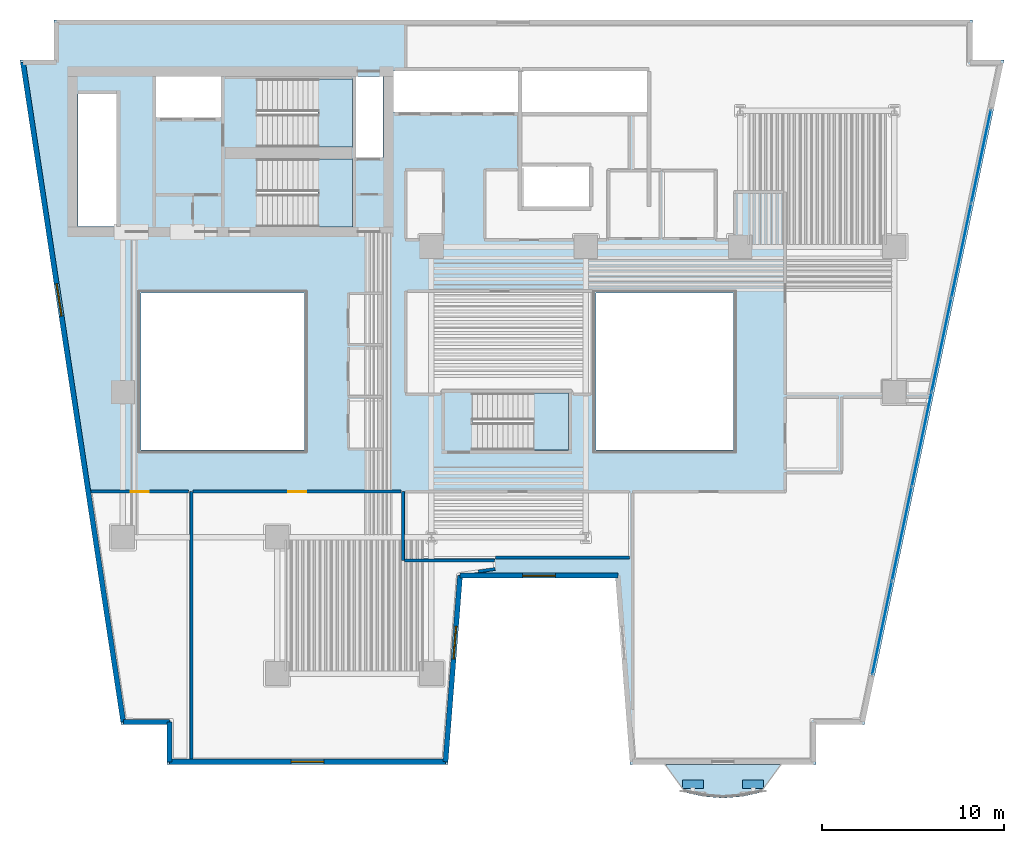
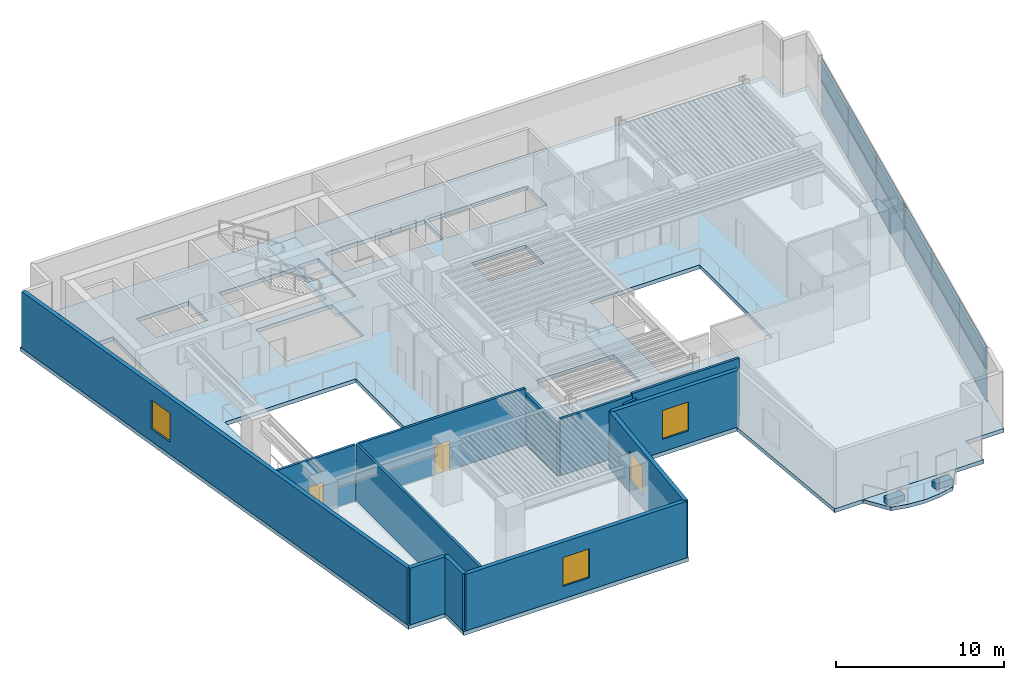
# One storey, part 3 of 12: 14 plates, 13 walls, 5 slabs, 4 windows, 2 doors, 6 openings, 4 elements without a shape of their own.
"""IFC4 building model written with IfcOpenShell, lengths in metres."""

from ifc_helpers import new_model, si_unit, direction, frame, frame_2d, origin, origin_2d, place, context, subcontext, project, spatial, polyline, rectangle, outline, extrude, material, layer, layer_set, type_object, element, fill, aggregate, save


model = new_model("IFC4")

# Units and contexts
model_context = context("Model", 3, precision=1e-05, world=origin(), true_north=direction((0.0, 1.0)))
body_context = subcontext(model_context, "Body", "Model", "MODEL_VIEW")
ifc_project = project(units=[si_unit("LENGTHUNIT", "METRE"), si_unit("AREAUNIT", "SQUARE_METRE"), si_unit("VOLUMEUNIT", "CUBIC_METRE"), si_unit("PLANEANGLEUNIT", "RADIAN"), si_unit("MASSUNIT", "GRAM", prefix="KILO")], contexts=[model_context])

# Site, building, storey
site_placement = place(None, origin())
site = spatial("IfcSite", under=ifc_project, at=site_placement, CompositionType="ELEMENT")
building_placement = place(site_placement, origin())
building = spatial("IfcBuilding", under=site, at=building_placement, Name="Caeloran Harvest Quay", CompositionType="ELEMENT")
storey_placement = place(building_placement, frame((0.0, 0.0, 97.39990234375)))
storey = spatial("IfcBuildingStorey", under=building, at=storey_placement, Name="L22", CompositionType="ELEMENT", Elevation=97.39990234375)

# Slab
ifc_material_1 = material(Name="Concrete C50/60", Category="concrete")
ifc_layer_1 = layer(ifc_material_1, 0.260009765625, Name="Concrete C50/60")
ifc_layer_set_1 = layer_set([ifc_layer_1], Name="Concrete C50/60")
slab_type_1 = type_object("IfcSlabType", Name="BALCONY-BL-260", PredefinedType="FLOOR", material=ifc_layer_set_1)
slab_1_placement = place(storey_placement, frame((0.0, 0.0, -0.260009765625)))
element("IfcSlab", 1, at=slab_1_placement, inside=storey, type_object=slab_type_1, Name="L22 Scalloped Cantilevered Planted Balcony Slab", PredefinedType="FLOOR", context=body_context, shape_type="SweptSolid", body=[
    extrude(outline(polyline([(43.686767578125, 0.965087890625), (42.622802734375, 0.72705078125), (41.55859375, 0.639892578125), (40.494384765625, 0.72705078125), (39.43017578125, 0.965087890625), (38.379638671875, 2.5), (44.7373046875, 2.5), (43.686767578125, 0.965087890625)])), origin(), (0.0, 0.0, 1.0), 0.260009765625),
])

# Curtain wall, plates
ifc_material_2 = material(Name="Aluminium 6063-T6 and Low-E Glazing", Category="aluminium")
ifc_layer_2 = layer(ifc_material_2, 0.199951171875, Name="Aluminium 6063-T6 and Low-E Glazing")
ifc_layer_set_2 = layer_set([ifc_layer_2], Name="Aluminium 6063-T6 and Low-E Glazing")
curtain_wall_type = type_object("IfcCurtainWallType", Name="CW-SYS-CW-2", PredefinedType="USERDEFINED", material=ifc_layer_set_2)
curtain_wall_placement = place(storey_placement, origin())
curtain_wall = element("IfcCurtainWall", 2, at=curtain_wall_placement, inside=storey, type_object=curtain_wall_type, Name="L22 Unitised Curtain Wall CW-2 Run 9", ObjectType="CURTAIN_WALL", PredefinedType="USERDEFINED")
ifc_material_3 = material(Name="Low-E Double Glazed Vision Glass Unit", Category="glass")
ifc_layer_3 = layer(ifc_material_3, 0.035888671875, Name="Low-E Double Glazed Vision Glass Unit")
ifc_layer_set_3 = layer_set([ifc_layer_3], Name="Low-E Double Glazed Vision Glass Unit")
plate_type_1 = type_object("IfcPlateType", Name="CW-VISION-PANEL", PredefinedType="CURTAIN_PANEL", material=ifc_layer_set_3)
plate_1_placement = place(storey_placement, frame((55.780029296875, 35.993408203125, 0.080078125), z_axis=(0.0, 0.0, 1.0), x_axis=(-0.205582960081, -0.978639691881, 0.0)))
plate_1 = element("IfcPlate", 3, at=plate_1_placement, type_object=plate_type_1, Name="CW-2 panel 1.1", PredefinedType="CURTAIN_PANEL", context=body_context, shape_type="SweptSolid", body=[
    extrude(rectangle(XDim=5.19873046875, YDim=0.035888671875, at=origin_2d()), origin(), (0.0, 0.0, 1.0), 2.280029296875),
])
plate_2_placement = place(storey_placement, frame((55.780029296875, 35.993408203125, 2.43994140625), z_axis=(0.0, 0.0, 1.0), x_axis=(-0.205582960081, -0.978639691881, 0.0)))
plate_2 = element("IfcPlate", 4, at=plate_2_placement, type_object=plate_type_1, Name="CW-2 panel 1.2", PredefinedType="CURTAIN_PANEL", context=body_context, shape_type="SweptSolid", body=[
    extrude(rectangle(XDim=5.19873046875, YDim=0.035888671875, at=origin_2d()), origin(), (0.0, 0.0, 1.0), 1.594970703125),
])
plate_3_placement = place(storey_placement, frame((54.690673828125, 30.807861328125, 0.080078125), z_axis=(0.0, 0.0, 1.0), x_axis=(-0.205582960081, -0.978639691881, 0.0)))
plate_3 = element("IfcPlate", 5, at=plate_3_placement, type_object=plate_type_1, Name="CW-2 panel 2.1", PredefinedType="CURTAIN_PANEL", context=body_context, shape_type="SweptSolid", body=[
    extrude(rectangle(XDim=5.23876953125, YDim=0.035888671875, at=origin_2d()), origin(), (0.0, 0.0, 1.0), 2.280029296875),
])
plate_4_placement = place(storey_placement, frame((54.690673828125, 30.807861328125, 2.43994140625), z_axis=(0.0, 0.0, 1.0), x_axis=(-0.205582960081, -0.978639691881, 0.0)))
plate_4 = element("IfcPlate", 6, at=plate_4_placement, type_object=plate_type_1, Name="CW-2 panel 2.2", PredefinedType="CURTAIN_PANEL", context=body_context, shape_type="SweptSolid", body=[
    extrude(rectangle(XDim=5.23876953125, YDim=0.035888671875, at=origin_2d()), origin(), (0.0, 0.0, 1.0), 1.594970703125),
])
plate_5_placement = place(storey_placement, frame((53.59716796875, 25.6025390625, 0.080078125), z_axis=(0.0, 0.0, 1.0), x_axis=(-0.205582960081, -0.978639691881, 0.0)))
plate_5 = element("IfcPlate", 7, at=plate_5_placement, type_object=plate_type_1, Name="CW-2 panel 3.1", PredefinedType="CURTAIN_PANEL", context=body_context, shape_type="SweptSolid", body=[
    extrude(rectangle(XDim=5.23876953125, YDim=0.035888671875, at=origin_2d()), origin(), (0.0, 0.0, 1.0), 2.280029296875),
])
plate_6_placement = place(storey_placement, frame((53.59716796875, 25.6025390625, 2.43994140625), z_axis=(0.0, 0.0, 1.0), x_axis=(-0.205582960081, -0.978639691881, 0.0)))
plate_6 = element("IfcPlate", 8, at=plate_6_placement, type_object=plate_type_1, Name="CW-2 panel 3.2", PredefinedType="CURTAIN_PANEL", context=body_context, shape_type="SweptSolid", body=[
    extrude(rectangle(XDim=5.23876953125, YDim=0.035888671875, at=origin_2d()), origin(), (0.0, 0.0, 1.0), 1.594970703125),
])
plate_7_placement = place(storey_placement, frame((52.503662109375, 20.3974609375, 0.080078125), z_axis=(0.0, 0.0, 1.0), x_axis=(-0.205582960081, -0.978639691881, 0.0)))
plate_7 = element("IfcPlate", 9, at=plate_7_placement, type_object=plate_type_1, Name="CW-2 panel 4.1", PredefinedType="CURTAIN_PANEL", context=body_context, shape_type="SweptSolid", body=[
    extrude(rectangle(XDim=5.23876953125, YDim=0.035888671875, at=origin_2d()), origin(), (0.0, 0.0, 1.0), 2.280029296875),
])
plate_8_placement = place(storey_placement, frame((52.503662109375, 20.3974609375, 2.43994140625), z_axis=(0.0, 0.0, 1.0), x_axis=(-0.205582960081, -0.978639691881, 0.0)))
plate_8 = element("IfcPlate", 10, at=plate_8_placement, type_object=plate_type_1, Name="CW-2 panel 4.2", PredefinedType="CURTAIN_PANEL", context=body_context, shape_type="SweptSolid", body=[
    extrude(rectangle(XDim=5.23876953125, YDim=0.035888671875, at=origin_2d()), origin(), (0.0, 0.0, 1.0), 1.594970703125),
])
plate_9_placement = place(storey_placement, frame((51.41015625, 15.192138671875, 0.080078125), z_axis=(0.0, 0.0, 1.0), x_axis=(-0.205582960081, -0.978639691881, 0.0)))
plate_9 = element("IfcPlate", 11, at=plate_9_placement, type_object=plate_type_1, Name="CW-2 panel 5.1", PredefinedType="CURTAIN_PANEL", context=body_context, shape_type="SweptSolid", body=[
    extrude(rectangle(XDim=5.23876953125, YDim=0.035888671875, at=origin_2d()), origin(), (0.0, 0.0, 1.0), 2.280029296875),
])
plate_10_placement = place(storey_placement, frame((51.41015625, 15.192138671875, 2.43994140625), z_axis=(0.0, 0.0, 1.0), x_axis=(-0.205582960081, -0.978639691881, 0.0)))
plate_10 = element("IfcPlate", 12, at=plate_10_placement, type_object=plate_type_1, Name="CW-2 panel 5.2", PredefinedType="CURTAIN_PANEL", context=body_context, shape_type="SweptSolid", body=[
    extrude(rectangle(XDim=5.23876953125, YDim=0.035888671875, at=origin_2d()), origin(), (0.0, 0.0, 1.0), 1.594970703125),
])
plate_11_placement = place(storey_placement, frame((50.321044921875, 10.006591796875, 0.080078125), z_axis=(0.0, 0.0, 1.0), x_axis=(-0.205582960081, -0.978639691881, 0.0)))
plate_11 = element("IfcPlate", 13, at=plate_11_placement, type_object=plate_type_1, Name="CW-2 panel 6.1", PredefinedType="CURTAIN_PANEL", context=body_context, shape_type="SweptSolid", body=[
    extrude(rectangle(XDim=5.19873046875, YDim=0.035888671875, at=origin_2d()), origin(), (0.0, 0.0, 1.0), 2.280029296875),
])
plate_12_placement = place(storey_placement, frame((50.321044921875, 10.006591796875, 2.43994140625), z_axis=(0.0, 0.0, 1.0), x_axis=(-0.205582960081, -0.978639691881, 0.0)))
plate_12 = element("IfcPlate", 14, at=plate_12_placement, type_object=plate_type_1, Name="CW-2 panel 6.2", PredefinedType="CURTAIN_PANEL", context=body_context, shape_type="SweptSolid", body=[
    extrude(rectangle(XDim=5.19873046875, YDim=0.035888671875, at=origin_2d()), origin(), (0.0, 0.0, 1.0), 1.594970703125),
])
aggregate(curtain_wall, [plate_1, plate_2, plate_3, plate_4, plate_5, plate_6, plate_7, plate_8, plate_9, plate_10, plate_11, plate_12])

# Plates
ifc_material_4 = material(Name="Precast concrete C50/60", Category="concrete")
ifc_layer_4 = layer(ifc_material_4, 0.449951171875, Name="Precast concrete C50/60")
ifc_layer_set_4 = layer_set([ifc_layer_4], Name="Precast concrete C50/60")
plate_type_2 = type_object("IfcPlateType", Name="PLANTER-TROUGH-450", PredefinedType="USERDEFINED", material=ifc_layer_set_4)
for number, where, z_axis, x_axis, name in (
    (15, (43.218505859375, 1.39990234375, 0.0), (0.0, 0.0, 1.0), (1.0, 0.0, 0.0), "L22 Balcony Vertical-Greenery Precast PLANTER Trough 1"),
    (16, (39.8984375, 1.39990234375, 0.0), (0.0, 0.0, 1.0), (1.0, 0.0, 0.0), "L22 Balcony Vertical-Greenery Precast PLANTER Trough 2"),
):
    element("IfcPlate", number, at=place(storey_placement, frame(where, z_axis=z_axis, x_axis=x_axis)), inside=storey, type_object=plate_type_2, Name=name, ObjectType="PLANTER", PredefinedType="USERDEFINED", context=body_context, shape_type="SweptSolid", body=[
        extrude(rectangle(XDim=1.14990234375, YDim=0.47998046875, at=origin_2d()), origin(), (0.0, 0.0, 1.0), 0.449951171875),
    ])

# Slab
ifc_layer_5 = layer(ifc_material_1, 0.284912109375, Name="Concrete C50/60")
ifc_layer_set_5 = layer_set([ifc_layer_5], Name="Concrete C50/60")
slab_type_2 = type_object("IfcSlabType", Name="SLAB-FS-285", PredefinedType="FLOOR", material=ifc_layer_set_5)
slab_2_placement = place(storey_placement, frame((0.0, 0.0, -0.284912109375)))
element("IfcSlab", 17, at=slab_2_placement, inside=storey, type_object=slab_type_2, Name="L22 Structural Floor Slab", PredefinedType="FLOOR", context=body_context, shape_type="SweptSolid", body=[
    extrude(outline(polyline([(10.93701171875, 2.5), (26.403076171875, 2.5), (27.202880859375, 12.75), (35.640380859375, 12.75), (36.4404296875, 2.5), (46.68701171875, 2.5), (46.68701171875, 4.699951171875), (49.34912109375, 4.699951171875), (57.037841796875, 41.300048828125), (55.300048828125, 41.300048828125), (55.300048828125, 43.5), (4.699951171875, 43.5), (4.699951171875, 41.300048828125), (2.834716796875, 41.300048828125), (8.40234375, 4.699951171875), (10.93701171875, 4.699951171875), (10.93701171875, 2.5)]), holes=[polyline([(18.5, 19.800048828125), (9.5, 19.800048828125), (9.5, 28.449951171875), (18.5, 28.449951171875), (18.5, 19.800048828125)]), polyline([(15.89990234375, 32.10009765625), (15.89990234375, 35.85009765625), (21.14990234375, 35.85009765625), (21.14990234375, 32.10009765625), (15.89990234375, 32.10009765625)]), polyline([(8.159912109375, 32.1201171875), (6.02001953125, 32.1201171875), (6.02001953125, 39.419921875), (8.159912109375, 39.419921875), (8.159912109375, 32.1201171875)]), polyline([(21.35009765625, 35.919921875), (21.35009765625, 40.3798828125), (22.830078125, 40.3798828125), (22.830078125, 35.919921875), (21.35009765625, 35.919921875)]), polyline([(15.89990234375, 40.25), (21.14990234375, 40.25), (21.14990234375, 36.5), (15.89990234375, 36.5), (15.89990234375, 40.25)]), polyline([(13.89990234375, 38.1201171875), (10.320068359375, 38.1201171875), (10.320068359375, 40.3798828125), (13.89990234375, 40.3798828125), (13.89990234375, 38.1201171875)]), polyline([(27.75, 22.949951171875), (33.050048828125, 22.949951171875), (33.050048828125, 19.800048828125), (27.75, 19.800048828125), (27.75, 22.949951171875)]), polyline([(34.550048828125, 19.800048828125), (34.550048828125, 28.449951171875), (42.14990234375, 28.449951171875), (42.14990234375, 19.800048828125), (34.550048828125, 19.800048828125)]), polyline([(34.199951171875, 33.219970703125), (30.47998046875, 33.219970703125), (30.47998046875, 35.429931640625), (34.199951171875, 35.429931640625), (34.199951171875, 33.219970703125)]), polyline([(23.419921875, 38.419921875), (23.419921875, 40.679931640625), (30.280029296875, 40.679931640625), (30.280029296875, 38.419921875), (23.419921875, 38.419921875)]), polyline([(30.47998046875, 38.419921875), (30.47998046875, 40.679931640625), (37.3798828125, 40.679931640625), (37.3798828125, 38.419921875), (30.47998046875, 38.419921875)])]), origin(), (0.0, 0.0, 1.0), 0.284912109375),
])

# Stair, slab
stair_type_1 = type_object("IfcStairType", Name="STAIR-STC-180", PredefinedType="HALF_TURN_STAIR", material=ifc_material_1)
stair_1_placement = place(storey_placement, origin())
stair_1 = element("IfcStair", 18, at=stair_1_placement, inside=storey, type_object=stair_type_1, Name="L22 Core Pressurized Exit Stair ST-C1", PredefinedType="HALF_TURN_STAIR")
ifc_layer_6 = layer(ifc_material_1, 0.219970703125, Name="Concrete C50/60")
ifc_layer_set_6 = layer_set([ifc_layer_6], Name="Concrete C50/60")
slab_type_3 = type_object("IfcSlabType", Name="STAIR-LANDING-220", PredefinedType="LANDING", material=ifc_layer_set_6)
slab_3_placement = place(storey_placement, frame((0.0, 0.0, 2.0)))
slab_3 = element("IfcSlab", 19, at=slab_3_placement, type_object=slab_type_3, Name="ST-C1 landing 1", PredefinedType="LANDING", context=body_context, shape_type="SweptSolid", body=[
    extrude(outline(polyline([(19.260009765625, 36.5), (21.14990234375, 36.5), (21.14990234375, 40.25), (19.260009765625, 40.25), (19.260009765625, 36.5)])), origin(), (0.0, 0.0, 1.0), 0.2001953125),
])
aggregate(stair_1, [slab_3])

stair_2_placement = place(storey_placement, origin())
stair_2 = element("IfcStair", 20, at=stair_2_placement, inside=storey, type_object=stair_type_1, Name="L22 Core Pressurized Exit Stair ST-C2", PredefinedType="HALF_TURN_STAIR")
slab_4_placement = place(storey_placement, frame((0.0, 0.0, 2.0)))
slab_4 = element("IfcSlab", 21, at=slab_4_placement, type_object=slab_type_3, Name="ST-C2 landing 1", PredefinedType="LANDING", context=body_context, shape_type="SweptSolid", body=[
    extrude(outline(polyline([(19.260009765625, 32.10009765625), (21.14990234375, 32.10009765625), (21.14990234375, 35.85009765625), (19.260009765625, 35.85009765625), (19.260009765625, 32.10009765625)])), origin(), (0.0, 0.0, 1.0), 0.2001953125),
])
aggregate(stair_2, [slab_4])

stair_type_2 = type_object("IfcStairType", Name="STAIR-STW-150", PredefinedType="HALF_TURN_STAIR", material=ifc_material_1)
stair_3_placement = place(storey_placement, origin())
stair_3 = element("IfcStair", 22, at=stair_3_placement, inside=storey, type_object=stair_type_2, Name="L22 East Wing Protected Exit Stair ST-W1", PredefinedType="HALF_TURN_STAIR")
slab_5_placement = place(storey_placement, frame((0.0, 0.0, 2.0)))
slab_5 = element("IfcSlab", 23, at=slab_5_placement, type_object=slab_type_3, Name="ST-W1 landing 1", PredefinedType="LANDING", context=body_context, shape_type="SweptSolid", body=[
    extrude(outline(polyline([(31.110107421875, 19.800048828125), (33.050048828125, 19.800048828125), (33.050048828125, 22.949951171875), (31.110107421875, 22.949951171875), (31.110107421875, 19.800048828125)])), origin(), (0.0, 0.0, 1.0), 0.2001953125),
])
aggregate(stair_3, [slab_5])

# Walls
ifc_layer_7 = layer(ifc_material_4, 0.280029296875, Name="Precast concrete C50/60")
ifc_layer_set_7 = layer_set([ifc_layer_7], Name="Precast concrete C50/60")
wall_type_1 = type_object("IfcWallType", Name="ENV-WALL-EW-280", PredefinedType="STANDARD", material=ifc_layer_set_7)
wall_1_placement = place(storey_placement, frame((11.076904296875, 2.639892578125, 0.0), z_axis=(0.0, 0.0, 1.0), x_axis=(0.0, 1.0, 0.0)))
element("IfcWall", 24, at=wall_1_placement, inside=storey, type_object=wall_type_1, Name="L22 Exterior Precast Concrete Facade Wall 1", PredefinedType="STANDARD", context=body_context, shape_type="SweptSolid", body=[
    extrude(rectangle(XDim=2.2001953125, YDim=0.280029296875, at=frame_2d((1.10009765625, 0.0))), origin(), (0.0, 0.0, 1.0), 4.114990234375),
])
wall_2_placement = place(storey_placement, frame((11.076904296875, 4.840087890625, 0.0), z_axis=(0.0, 0.0, 1.0), x_axis=(-1.0, 0.0, 0.0)))
element("IfcWall", 25, at=wall_2_placement, inside=storey, type_object=wall_type_1, Name="L22 Exterior Precast Concrete Facade Wall 2", PredefinedType="STANDARD", context=body_context, shape_type="SweptSolid", body=[
    extrude(rectangle(XDim=2.55419921875, YDim=0.280029296875, at=frame_2d((1.277099609375, 0.0))), origin(), (0.0, 0.0, 1.0), 4.114990234375),
])

# Wall, opening, window
wall_3_placement = place(storey_placement, frame((8.522705078125, 4.840087890625, 0.0), z_axis=(0.0, 0.0, 1.0), x_axis=(-0.150394554312, 0.988626055712, 0.0)))
wall_3 = element("IfcWall", 26, at=wall_3_placement, inside=storey, type_object=wall_type_1, Name="L22 Exterior Precast Concrete Facade Wall 3", PredefinedType="STANDARD", context=body_context, shape_type="SweptSolid", body=[
    extrude(rectangle(XDim=36.73779296875, YDim=0.280029296875, at=frame_2d((18.368896484375, 0.0))), origin(), (0.0, 0.0, 1.0), 4.114990234375),
])
opening_1_placement = place(wall_3_placement, frame((22.612060546875, 0.0, 0.89990234375)))
opening_1 = element("IfcOpeningElement", 27, at=opening_1_placement, cuts=wall_3, Name="Opening W-01", PredefinedType="OPENING", context=body_context, shape_type="SweptSolid", body=[
    extrude(rectangle(XDim=1.800048828125, YDim=2.10009765625, at=frame_2d((0.89990234375, 1.050048828125))), frame((0.0, 0.14990234375, 0.0), z_axis=(0.0, -1.0, 0.0), x_axis=(1.0, 0.0, 0.0)), (0.0, 0.0, 1.0), 0.300048828125),
])
ifc_material_5 = material(Name="Aluminium-Framed Low-E Laminated Glass", Category="aluminium")
window_type = type_object("IfcWindowType", Name="WIN-W-01", PartitioningType="SINGLE_PANEL", PredefinedType="WINDOW", material=ifc_material_5)
window_1_placement = place(opening_1_placement, origin())
window_1 = element("IfcWindow", 28, at=window_1_placement, inside=storey, type_object=window_type, Name="L22 Facade Punched Window W-01", OverallHeight=2.10009765625, OverallWidth=1.800048828125, PartitioningType="SINGLE_PANEL", PredefinedType="WINDOW", context=body_context, shape_type="SweptSolid", body=[
    extrude(rectangle(XDim=1.800048828125, YDim=2.10009765625, at=frame_2d((0.89990234375, 1.050048828125))), frame((0.0, 0.030029296875, 0.0), z_axis=(0.0, -1.0, 0.0), x_axis=(1.0, 0.0, 0.0)), (0.0, 0.0, 1.0), 0.06005859375),
])
fill(opening_1, window_1)

wall_4_placement = place(storey_placement, frame((35.77001953125, 12.889892578125, 0.0), z_axis=(0.0, 0.0, 1.0), x_axis=(-1.0, 0.0, 0.0)))
wall_4 = element("IfcWall", 29, at=wall_4_placement, inside=storey, type_object=wall_type_1, Name="L22 Exterior Precast Concrete Facade Wall 14", PredefinedType="STANDARD", context=body_context, shape_type="SweptSolid", body=[
    extrude(rectangle(XDim=8.696533203125, YDim=0.280029296875, at=frame_2d((4.34814453125, 0.0))), origin(), (0.0, 0.0, 1.0), 4.114990234375),
])
opening_2_placement = place(wall_4_placement, frame((3.447998046875, 0.0, 0.89990234375)))
opening_2 = element("IfcOpeningElement", 30, at=opening_2_placement, cuts=wall_4, Name="Opening W-01", PredefinedType="OPENING", context=body_context, shape_type="SweptSolid", body=[
    extrude(rectangle(XDim=1.800048828125, YDim=2.10009765625, at=frame_2d((0.89990234375, 1.050048828125))), frame((0.0, 0.14990234375, 0.0), z_axis=(0.0, -1.0, 0.0), x_axis=(1.0, 0.0, 0.0)), (0.0, 0.0, 1.0), 0.300048828125),
])
window_2_placement = place(opening_2_placement, origin())
window_2 = element("IfcWindow", 31, at=window_2_placement, inside=storey, type_object=window_type, Name="L22 Facade Punched Window W-01", OverallHeight=2.10009765625, OverallWidth=1.800048828125, PartitioningType="SINGLE_PANEL", PredefinedType="WINDOW", context=body_context, shape_type="SweptSolid", body=[
    extrude(rectangle(XDim=1.800048828125, YDim=2.10009765625, at=frame_2d((0.89990234375, 1.050048828125))), frame((0.0, 0.030029296875, 0.0), z_axis=(0.0, -1.0, 0.0), x_axis=(1.0, 0.0, 0.0)), (0.0, 0.0, 1.0), 0.06005859375),
])
fill(opening_2, window_2)

wall_5_placement = place(storey_placement, frame((27.073486328125, 12.889892578125, 0.0), z_axis=(0.0, 0.0, 1.0), x_axis=(-0.077816860153, -0.996967670627, 0.0)))
wall_5 = element("IfcWall", 32, at=wall_5_placement, inside=storey, type_object=wall_type_1, Name="L22 Exterior Precast Concrete Facade Wall 15", PredefinedType="STANDARD", context=body_context, shape_type="SweptSolid", body=[
    extrude(rectangle(XDim=10.28125, YDim=0.280029296875, at=frame_2d((5.140625, 0.0))), origin(), (0.0, 0.0, 1.0), 4.114990234375),
])
opening_3_placement = place(wall_5_placement, frame((2.801025390625, 0.0, 0.89990234375)))
opening_3 = element("IfcOpeningElement", 33, at=opening_3_placement, cuts=wall_5, Name="Opening W-01", PredefinedType="OPENING", context=body_context, shape_type="SweptSolid", body=[
    extrude(rectangle(XDim=1.800048828125, YDim=2.10009765625, at=frame_2d((0.89990234375, 1.050048828125))), frame((0.0, 0.14990234375, 0.0), z_axis=(0.0, -1.0, 0.0), x_axis=(1.0, 0.0, 0.0)), (0.0, 0.0, 1.0), 0.300048828125),
])
window_3_placement = place(opening_3_placement, origin())
window_3 = element("IfcWindow", 34, at=window_3_placement, inside=storey, type_object=window_type, Name="L22 Facade Punched Window W-01", OverallHeight=2.10009765625, OverallWidth=1.800048828125, PartitioningType="SINGLE_PANEL", PredefinedType="WINDOW", context=body_context, shape_type="SweptSolid", body=[
    extrude(rectangle(XDim=1.800048828125, YDim=2.10009765625, at=frame_2d((0.89990234375, 1.050048828125))), frame((0.0, 0.030029296875, 0.0), z_axis=(0.0, -1.0, 0.0), x_axis=(1.0, 0.0, 0.0)), (0.0, 0.0, 1.0), 0.06005859375),
])
fill(opening_3, window_3)

wall_6_placement = place(storey_placement, frame((26.2734375, 2.639892578125, 0.0), z_axis=(0.0, 0.0, 1.0), x_axis=(-1.0, 0.0, 0.0)))
wall_6 = element("IfcWall", 35, at=wall_6_placement, inside=storey, type_object=wall_type_1, Name="L22 Exterior Precast Concrete Facade Wall 16", PredefinedType="STANDARD", context=body_context, shape_type="SweptSolid", body=[
    extrude(rectangle(XDim=15.196533203125, YDim=0.280029296875, at=frame_2d((7.59814453125, 0.0))), origin(), (0.0, 0.0, 1.0), 4.114990234375),
])
opening_4_placement = place(wall_6_placement, frame((6.697998046875, 0.0, 0.89990234375)))
opening_4 = element("IfcOpeningElement", 36, at=opening_4_placement, cuts=wall_6, Name="Opening W-01", PredefinedType="OPENING", context=body_context, shape_type="SweptSolid", body=[
    extrude(rectangle(XDim=1.800048828125, YDim=2.10009765625, at=frame_2d((0.89990234375, 1.050048828125))), frame((0.0, 0.14990234375, 0.0), z_axis=(0.0, -1.0, 0.0), x_axis=(1.0, 0.0, 0.0)), (0.0, 0.0, 1.0), 0.300048828125),
])
window_4_placement = place(opening_4_placement, origin())
window_4 = element("IfcWindow", 37, at=window_4_placement, inside=storey, type_object=window_type, Name="L22 Facade Punched Window W-01", OverallHeight=2.10009765625, OverallWidth=1.800048828125, PartitioningType="SINGLE_PANEL", PredefinedType="WINDOW", context=body_context, shape_type="SweptSolid", body=[
    extrude(rectangle(XDim=1.800048828125, YDim=2.10009765625, at=frame_2d((0.89990234375, 1.050048828125))), frame((0.0, 0.030029296875, 0.0), z_axis=(0.0, -1.0, 0.0), x_axis=(1.0, 0.0, 0.0)), (0.0, 0.0, 1.0), 0.06005859375),
])
fill(opening_4, window_4)

# Walls
ifc_material_6 = material(Name="Autoclaved Aerated Concrete Blockwork", Category="masonry")
ifc_layer_8 = layer(ifc_material_6, 0.1650390625, Name="Autoclaved Aerated Concrete Blockwork")
ifc_layer_set_8 = layer_set([ifc_layer_8], Name="Autoclaved Aerated Concrete Blockwork")
wall_type_2 = type_object("IfcWallType", Name="INT-WALL-PW-165", PredefinedType="PARTITIONING", material=ifc_layer_set_8)
wall_7_placement = place(storey_placement, frame((23.919921875, 17.52001953125, 0.0), z_axis=(0.0, 0.0, 1.0), x_axis=(0.0, -1.0, 0.0)))
element("IfcWall", 38, at=wall_7_placement, inside=storey, type_object=wall_type_2, Name="Executive Agronomy Design Studio Partition Wall", PredefinedType="PARTITIONING", context=body_context, shape_type="SweptSolid", body=[
    extrude(rectangle(XDim=3.800048828125, YDim=0.1650390625, at=frame_2d((1.89990234375, 0.0))), origin(), (0.0, 0.0, 1.0), 3.7001953125),
])
wall_8_placement = place(storey_placement, frame((24.007568359375, 13.719970703125, 0.0), z_axis=(0.0, 0.0, 1.0), x_axis=(1.0, 0.0, 0.0)))
element("IfcWall", 39, at=wall_8_placement, inside=storey, type_object=wall_type_2, Name="Executive Agronomy Design Studio Partition Wall", PredefinedType="PARTITIONING", context=body_context, shape_type="SweptSolid", body=[
    extrude(rectangle(XDim=4.96337890625, YDim=0.1650390625, at=frame_2d((2.481689453125, 0.0))), origin(), (0.0, 0.0, 1.0), 4.114990234375),
])
wall_9_placement = place(storey_placement, frame((29.0048828125, 13.262939453125, 0.0), z_axis=(0.0, 0.0, 1.0), x_axis=(-0.988919061759, -0.148455681233, 0.0)))
element("IfcWall", 40, at=wall_9_placement, inside=storey, type_object=wall_type_2, Name="Executive Agronomy Design Studio Partition Wall", PredefinedType="PARTITIONING", context=body_context, shape_type="SweptSolid", body=[
    extrude(rectangle(XDim=0.932373046875, YDim=0.1650390625, at=frame_2d((0.46630859375, 0.0))), origin(), (0.0, 0.0, 1.0), 4.114990234375),
])
wall_10_placement = place(storey_placement, frame((12.280029296875, 2.784912109375, 0.0), z_axis=(0.0, 0.0, 1.0), x_axis=(0.0, 1.0, 0.0)))
element("IfcWall", 41, at=wall_10_placement, inside=storey, type_object=wall_type_2, Name="Executive Agronomy Design Studio Partition Wall", PredefinedType="PARTITIONING", context=body_context, shape_type="SweptSolid", body=[
    extrude(rectangle(XDim=14.735107421875, YDim=0.1650390625, at=frame_2d((7.36767578125, 0.0))), origin(), (0.0, 0.0, 1.0), 4.114990234375),
])

# Wall, opening, door
wall_11_placement = place(storey_placement, frame((12.367431640625, 17.52001953125, 0.0), z_axis=(0.0, 0.0, 1.0), x_axis=(1.0, 0.0, 0.0)))
wall_11 = element("IfcWall", 42, at=wall_11_placement, inside=storey, type_object=wall_type_2, Name="Executive Agronomy Design Studio Partition Wall", PredefinedType="PARTITIONING", context=body_context, shape_type="SweptSolid", body=[
    extrude(rectangle(XDim=11.465087890625, YDim=0.1650390625, at=frame_2d((5.732421875, 0.0))), origin(), (0.0, 0.0, 1.0), 4.114990234375),
])
opening_5_placement = place(wall_11_placement, frame((5.232421875, 0.0, 0.0)))
opening_5 = element("IfcOpeningElement", 43, at=opening_5_placement, cuts=wall_11, Name="Opening ID-01", PredefinedType="OPENING", context=body_context, shape_type="SweptSolid", body=[
    extrude(rectangle(XDim=1.0, YDim=2.14990234375, at=frame_2d((0.5, 1.074951171875))), frame((0.0, 0.092529296875, 0.0), z_axis=(0.0, -1.0, 0.0), x_axis=(1.0, 0.0, 0.0)), (0.0, 0.0, 1.0), 0.18505859375),
])
ifc_material_7 = material(Name="FSC Solid-Core Ash Timber and Acoustic Seal", Category="wood")
door_type = type_object("IfcDoorType", Name="INTDOOR-ID-01", OperationType="NOTDEFINED", PredefinedType="DOOR", material=ifc_material_7)
door_1_placement = place(opening_5_placement, origin())
door_1 = element("IfcDoor", 44, at=door_1_placement, inside=storey, type_object=door_type, Name="Executive Agronomy Design Studio Access Door", OperationType="SINGLE_SWING_LEFT", OverallHeight=2.14990234375, OverallWidth=1.0, PredefinedType="DOOR", context=body_context, shape_type="SweptSolid", body=[
    extrude(rectangle(XDim=1.0, YDim=2.14990234375, at=frame_2d((0.5, 1.074951171875))), frame((0.0, 0.02490234375, 0.0), z_axis=(0.0, -1.0, 0.0), x_axis=(1.0, 0.0, 0.0)), (0.0, 0.0, 1.0), 0.050048828125),
])
fill(opening_5, door_1)

wall_12_placement = place(storey_placement, frame((6.740478515625, 17.52001953125, 0.0), z_axis=(0.0, 0.0, 1.0), x_axis=(1.0, 0.0, 0.0)))
wall_12 = element("IfcWall", 45, at=wall_12_placement, inside=storey, type_object=wall_type_2, Name="Regional Food Policy Boardroom Partition Wall", PredefinedType="PARTITIONING", context=body_context, shape_type="SweptSolid", body=[
    extrude(rectangle(XDim=5.379638671875, YDim=0.1650390625, at=frame_2d((2.68994140625, 0.0))), origin(), (0.0, 0.0, 1.0), 4.114990234375),
])
opening_6_placement = place(wall_12_placement, frame((2.189697265625, 0.0, 0.0)))
opening_6 = element("IfcOpeningElement", 46, at=opening_6_placement, cuts=wall_12, Name="Opening ID-01", PredefinedType="OPENING", context=body_context, shape_type="SweptSolid", body=[
    extrude(rectangle(XDim=1.0, YDim=2.14990234375, at=frame_2d((0.5, 1.074951171875))), frame((0.0, 0.092529296875, 0.0), z_axis=(0.0, -1.0, 0.0), x_axis=(1.0, 0.0, 0.0)), (0.0, 0.0, 1.0), 0.18505859375),
])
door_2_placement = place(opening_6_placement, origin())
door_2 = element("IfcDoor", 47, at=door_2_placement, inside=storey, type_object=door_type, Name="Regional Food Policy Boardroom Access Door", OperationType="SINGLE_SWING_RIGHT", OverallHeight=2.14990234375, OverallWidth=1.0, PredefinedType="DOOR", context=body_context, shape_type="SweptSolid", body=[
    extrude(rectangle(XDim=1.0, YDim=2.14990234375, at=frame_2d((0.5, 1.074951171875))), frame((0.0, 0.02490234375, 0.0), z_axis=(0.0, -1.0, 0.0), x_axis=(1.0, 0.0, 0.0)), (0.0, 0.0, 1.0), 0.050048828125),
])
fill(opening_6, door_2)

# Wall
wall_13_placement = place(storey_placement, frame((36.419921875, 13.8798828125, 0.0), z_axis=(0.0, 0.0, 1.0), x_axis=(-1.0, 0.0, 0.0)))
element("IfcWall", 48, at=wall_13_placement, inside=storey, type_object=wall_type_2, Name="Client Briefing Conference Room Partition Wall", PredefinedType="PARTITIONING", context=body_context, shape_type="SweptSolid", body=[
    extrude(rectangle(XDim=7.39501953125, YDim=0.1650390625, at=frame_2d((3.697509765625, 0.0))), origin(), (0.0, 0.0, 1.0), 4.114990234375),
])

save(model, "model.ifc")
